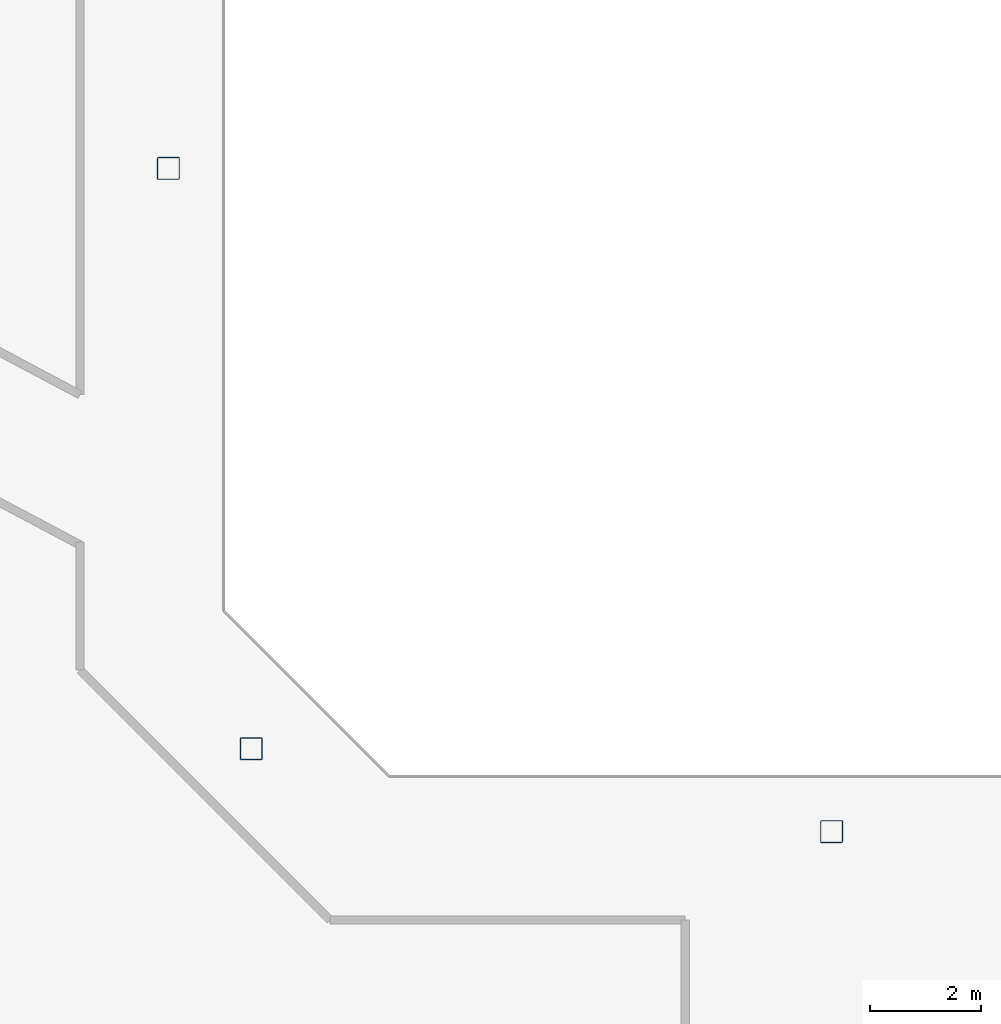
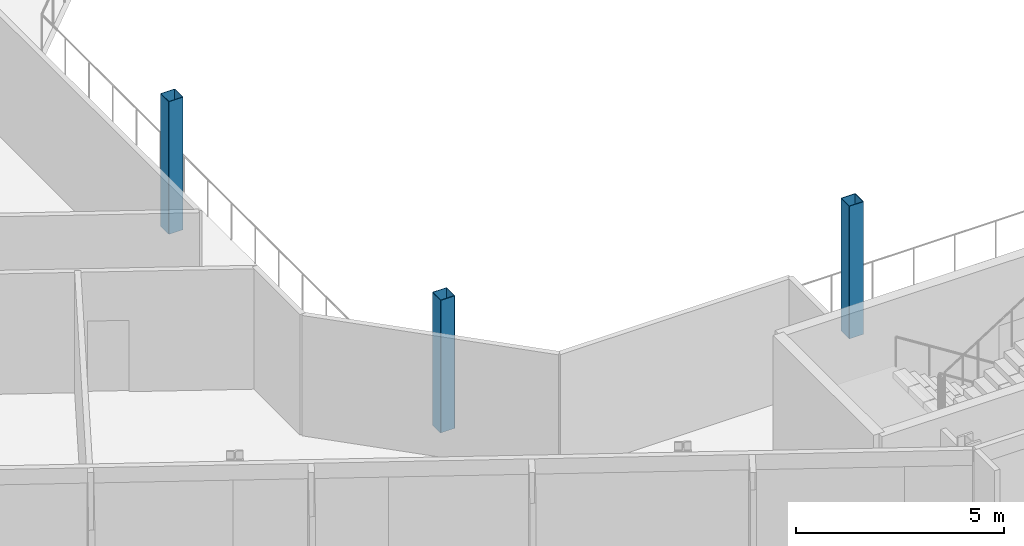
# One storey, part 2 of 27: 3 columns.
"""IFC4 building model written with IfcOpenShell, lengths in metres."""

from ifc_helpers import new_model, si_unit, direction, frame, origin, origin_2d, place, context, subcontext, project, spatial, hollow_rectangle, extrude, material, material_profile, profile_set, type_object, element, save


model = new_model("IFC4")

# Units and contexts
model_context = context("Model", 3, precision=1e-05, world=origin(), true_north=direction((0.0, 1.0)))
body_context = subcontext(model_context, "Body", "Model", "MODEL_VIEW")
ifc_project = project(units=[si_unit("LENGTHUNIT", "METRE"), si_unit("AREAUNIT", "SQUARE_METRE"), si_unit("VOLUMEUNIT", "CUBIC_METRE"), si_unit("PLANEANGLEUNIT", "RADIAN"), si_unit("MASSUNIT", "GRAM", prefix="KILO")], contexts=[model_context])

# Site, building, storey
site_placement = place(None, origin())
site = spatial("IfcSite", under=ifc_project, at=site_placement, CompositionType="ELEMENT")
building_placement = place(site_placement, origin())
building = spatial("IfcBuilding", under=site, at=building_placement, Name="Cormorant Relay Tower", CompositionType="ELEMENT")
storey_placement = place(building_placement, frame((0.0, 0.0, 240.300048828125)))
storey = spatial("IfcBuildingStorey", under=building, at=storey_placement, Name="L53", CompositionType="ELEMENT", Elevation=240.300048828125)

# Columns
ifc_material = material(Name="Steel ASTM A500 Grade C (Fy 345 MPa)", Category="steel")
ifc_material_profile = material_profile(ifc_material, hollow_rectangle(XDim=0.406494140625, YDim=0.406494140625, WallThickness=0.0146484375, InnerFilletRadius=0.00732421875, OuterFilletRadius=0.022216796875, at=origin_2d()), Name="HSS406x406x15")
ifc_profile_set = profile_set([ifc_material_profile], Name="Steel ASTM A500 Grade C (Fy 345 MPa)")
column_type = type_object("IfcColumnType", Name="Column HSS406x406x15", PredefinedType="COLUMN", material=ifc_profile_set)
for number, where, z_axis, x_axis, name in (
    (1, (0.0, -12.0, 0.0), (0.0, 0.0, 1.0), (1.0, 0.0, 0.0), "Column L53-007"),
    (2, (-10.5, -10.5, 0.0), (0.0, 0.0, 1.0), (1.0, 0.0, 0.0), "Column L53-009"),
    (3, (-12.0, 0.0, 0.0), (0.0, 0.0, 1.0), (1.0, 0.0, 0.0), "Column L53-015"),
):
    element("IfcColumn", number, at=place(storey_placement, frame(where, z_axis=z_axis, x_axis=x_axis)), inside=storey, type_object=column_type, Name=name, PredefinedType="COLUMN", context=body_context, shape_type="SweptSolid", body=[
        extrude(hollow_rectangle(XDim=0.406494140625, YDim=0.406494140625, WallThickness=0.0146484375, InnerFilletRadius=0.00732421875, OuterFilletRadius=0.022216796875, at=origin_2d()), origin(), (0.0, 0.0, 1.0), 3.89990234375),
    ])

save(model, "model.ifc")
